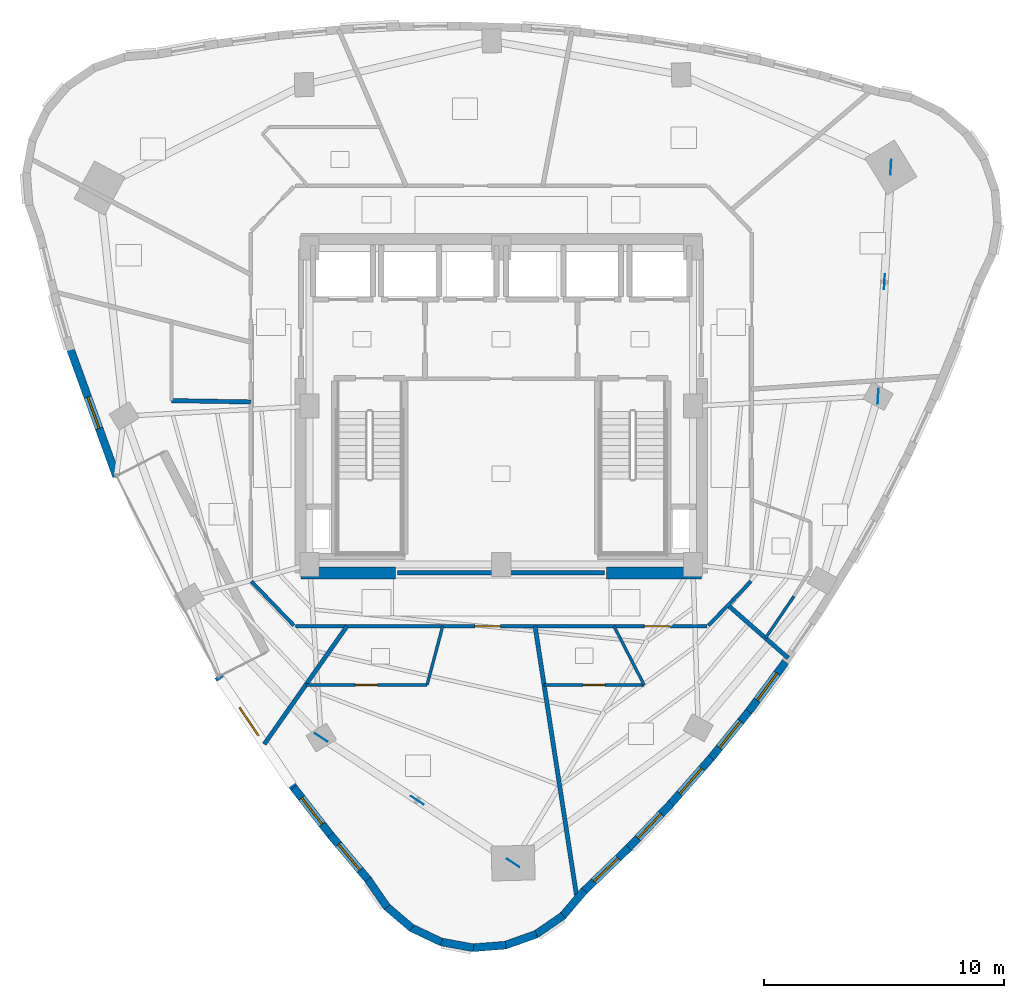
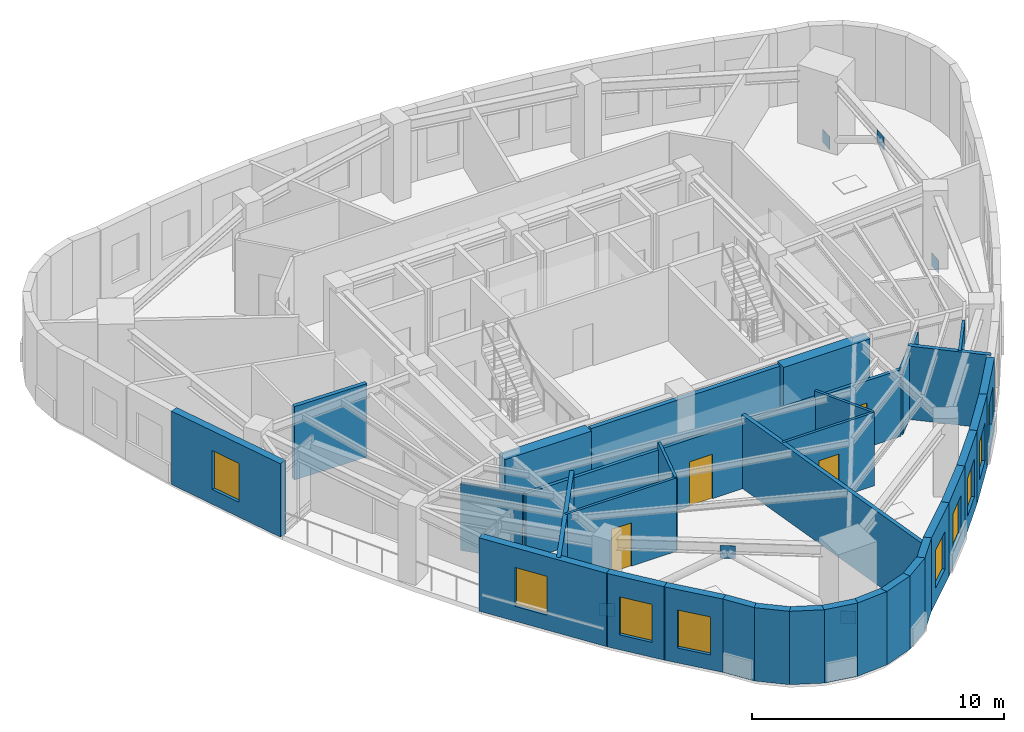
# One storey, part 6 of 13: 32 walls, 9 windows, 6 plates, 4 doors, 13 openings.
"""IFC4 building model written with IfcOpenShell, lengths in metres."""

from ifc_helpers import new_model, si_unit, direction, frame, frame_2d, origin, origin_2d, place, context, subcontext, project, spatial, rectangle, extrude, material, layer, layer_set, type_object, element, fill, save


model = new_model("IFC4")

# Units and contexts
model_context = context("Model", 3, precision=1e-05, world=origin(), true_north=direction((0.0, 1.0)))
body_context = subcontext(model_context, "Body", "Model", "MODEL_VIEW")
ifc_project = project(units=[si_unit("LENGTHUNIT", "METRE"), si_unit("AREAUNIT", "SQUARE_METRE"), si_unit("VOLUMEUNIT", "CUBIC_METRE"), si_unit("PLANEANGLEUNIT", "RADIAN"), si_unit("MASSUNIT", "GRAM", prefix="KILO")], contexts=[model_context])

# Site, building, storey
site_placement = place(None, origin())
site = spatial("IfcSite", under=ifc_project, at=site_placement, CompositionType="ELEMENT")
building_placement = place(site_placement, origin())
building = spatial("IfcBuilding", under=site, at=building_placement, Name="Ndelora Gate Hotel", CompositionType="ELEMENT")
storey_placement = place(building_placement, frame((0.0, 0.0, 197.949951171875)))
storey = spatial("IfcBuildingStorey", under=building, at=storey_placement, Name="L49", CompositionType="ELEMENT", Elevation=197.949951171875)

# Plates
ifc_material_1 = material(Name="Steel S355", Category="steel")
ifc_layer_1 = layer(ifc_material_1, 0.02001953125)
ifc_layer_set_1 = layer_set([ifc_layer_1], Name="Steel S355")
plate_type = type_object("IfcPlateType", Name="PL-NODE-VN1", PredefinedType="USERDEFINED", material=ifc_layer_set_1)
for number, where, z_axis, x_axis, name in (
    (1, (-7.50830078125, -13.828369140625, -0.2900390625), (0.0, 0.0, 1.0), (-0.836955398099, 0.547271104292, 0.0), "Node gusset cap plate VN1"),
    (2, (0.499267578125, -19.064208984375, -0.2900390625), (0.0, 0.0, 1.0), (-0.836955398099, 0.547271104292, 0.0), "Node gusset cap plate VN1"),
    (3, (-3.50439453125, -16.4462890625, 2.68994140625), (0.0, 0.0, 1.0), (-0.836955398099, 0.547271104292, 0.0), "Node gusset cap plate VN1"),
    (4, (15.72998046875, 0.411865234375, -0.2900390625), (0.0, 0.0, 1.0), (0.055472980025, 0.998460188734, 0.0), "Node gusset cap plate VN1"),
    (5, (16.26025390625, 9.96435546875, -0.2900390625), (0.0, 0.0, 1.0), (0.055472980025, 0.998460188734, 0.0), "Node gusset cap plate VN1"),
    (6, (15.9951171875, 5.18798828125, 2.68994140625), (0.0, 0.0, 1.0), (0.055472980025, 0.998460188734, 0.0), "Node gusset cap plate VN1"),
):
    element("IfcPlate", number, at=place(storey_placement, frame(where, z_axis=z_axis, x_axis=x_axis)), inside=storey, type_object=plate_type, Name=name, ObjectType="GUSSET_PLATE", PredefinedType="USERDEFINED", context=body_context, shape_type="SweptSolid", body=[
        extrude(rectangle(XDim=0.6201171875, YDim=0.02001953125, at=origin_2d()), origin(), (0.0, 0.0, 1.0), 0.6201171875),
    ])

# Walls
ifc_material_2 = material(Name="Acoustic Double-Stud Gypsum Assembly", Category="gypsum")
ifc_layer_2 = layer(ifc_material_2, 0.179931640625)
ifc_layer_set_2 = layer_set([ifc_layer_2], Name="Acoustic Double-Stud Gypsum Assembly")
wall_type_1 = type_object("IfcWallType", Name="WL-ACOUST-180", PredefinedType="PARTITIONING", material=ifc_layer_set_2)
wall_1_placement = place(storey_placement, frame((-10.449951171875, 0.177490234375, 0.0), z_axis=(0.0, 0.0, 1.0), x_axis=(-0.999856521487, 0.0169391983, 0.0)))
element("IfcWall", 7, at=wall_1_placement, inside=storey, type_object=wall_type_1, Name="L49 Interior Wall IW-3", PredefinedType="PARTITIONING", context=body_context, shape_type="SweptSolid", body=[
    extrude(rectangle(XDim=3.300537109375, YDim=0.179931640625, at=frame_2d((1.650390625, 0.0))), origin(), (0.0, 0.0, 1.0), 3.550048828125),
])
wall_2_placement = place(storey_placement, frame((-6.434326171875, -9.179931640625, 0.0), z_axis=(0.0, 0.0, 1.0), x_axis=(-0.573963891335, -0.818880608785, 0.0)))
element("IfcWall", 8, at=wall_2_placement, inside=storey, type_object=wall_type_1, Name="L49 Interior Wall IW-3", PredefinedType="PARTITIONING", context=body_context, shape_type="SweptSolid", body=[
    extrude(rectangle(XDim=6.010009765625, YDim=0.179931640625, at=frame_2d((3.0048828125, 0.0))), origin(), (0.0, 0.0, 1.0), 3.550048828125),
])
wall_3_placement = place(storey_placement, frame((1.4140625, -9.179931640625, 0.0), z_axis=(0.0, 0.0, 1.0), x_axis=(0.15222758157, -0.988345467643, 0.0)))
element("IfcWall", 9, at=wall_3_placement, inside=storey, type_object=wall_type_1, Name="L49 Interior Wall IW-3", PredefinedType="PARTITIONING", context=body_context, shape_type="SweptSolid", body=[
    extrude(rectangle(XDim=11.52001953125, YDim=0.179931640625, at=frame_2d((5.760009765625, 0.0))), origin(), (0.0, 0.0, 1.0), 3.550048828125),
])
wall_4_placement = place(storey_placement, frame((9.464111328125, -8.3037109375, 0.0), z_axis=(0.0, 0.0, 1.0), x_axis=(0.751711445712, -0.659492154909, 0.0)))
element("IfcWall", 10, at=wall_4_placement, inside=storey, type_object=wall_type_1, Name="L49 Interior Wall IW-3", PredefinedType="PARTITIONING", context=body_context, shape_type="SweptSolid", body=[
    extrude(rectangle(XDim=3.341064453125, YDim=0.179931640625, at=frame_2d((1.67041015625, 0.0))), origin(), (0.0, 0.0, 1.0), 3.550048828125),
])

# Wall, opening, window
ifc_material_3 = material(Name="Clay Brick Masonry", Category="masonry")
ifc_layer_3 = layer(ifc_material_3, 0.330078125)
ifc_layer_set_3 = layer_set([ifc_layer_3], Name="Clay Brick Masonry")
wall_type_2 = type_object("IfcWallType", Name="WL-BRICK-330", PredefinedType="SOLIDWALL", material=ifc_layer_set_3)
wall_5_placement = place(storey_placement, frame((-16.051513671875, -2.931640625, 0.0), z_axis=(0.0, 0.0, 1.0), x_axis=(-0.340145014301, 0.940372994745, 0.0)))
wall_5 = element("IfcWall", 11, at=wall_5_placement, inside=storey, type_object=wall_type_2, Name="L49 Tower Brick Pier-and-Spandrel Wall TWR-11", PredefinedType="SOLIDWALL", context=body_context, shape_type="SweptSolid", body=[
    extrude(rectangle(XDim=5.65673828125, YDim=0.330078125, at=frame_2d((2.828369140625, 0.0))), origin(), (0.0, 0.0, 1.0), 3.550048828125),
])
opening_1_placement = place(wall_5_placement, frame((2.12841796875, 0.0, 0.719970703125)))
opening_1 = element("IfcOpeningElement", 12, at=opening_1_placement, cuts=wall_5, Name="Opening W02", PredefinedType="OPENING", context=body_context, shape_type="SweptSolid", body=[
    extrude(rectangle(XDim=1.39990234375, YDim=1.8798828125, at=frame_2d((0.699951171875, 0.93994140625))), frame((0.0, 0.175048828125, 0.0), z_axis=(0.0, -1.0, 0.0), x_axis=(1.0, 0.0, 0.0)), (0.0, 0.0, 1.0), 0.35009765625),
])
ifc_material_4 = material(Name="Insulated Low-E Double Glazing in Bronze Aluminium Frame", Category="aluminium")
window_type = type_object("IfcWindowType", Name="WN-DEEP-1400", PartitioningType="SINGLE_PANEL", PredefinedType="WINDOW", material=ifc_material_4)
window_1_placement = place(opening_1_placement, origin())
window_1 = element("IfcWindow", 13, at=window_1_placement, inside=storey, type_object=window_type, Name="L49 Deep-Set Brick-Pier Window W02", OverallHeight=1.8798828125, OverallWidth=1.39990234375, PartitioningType="SINGLE_PANEL", PredefinedType="WINDOW", context=body_context, shape_type="SweptSolid", body=[
    extrude(rectangle(XDim=1.39990234375, YDim=1.8798828125, at=frame_2d((0.699951171875, 0.93994140625))), frame((0.0, 0.030029296875, 0.0), z_axis=(0.0, -1.0, 0.0), x_axis=(1.0, 0.0, 0.0)), (0.0, 0.0, 1.0), 0.06005859375),
])
fill(opening_1, window_1)

wall_6_placement = place(storey_placement, frame((-8.63427734375, -15.946044921875, 0.0), z_axis=(0.0, 0.0, 1.0), x_axis=(-0.560840510301, 0.827923862444, 0.0)))
wall_6 = element("IfcWall", 14, at=wall_6_placement, inside=storey, type_object=wall_type_2, Name="L49 Tower Brick Pier-and-Spandrel Wall TWR-16", PredefinedType="SOLIDWALL", context=body_context, shape_type="SweptSolid", body=[
    extrude(rectangle(XDim=5.656494140625, YDim=0.330078125, at=frame_2d((2.828125, 0.0))), origin(), (0.0, 0.0, 1.0), 3.550048828125),
])
opening_2_placement = place(wall_6_placement, frame((2.659912109375, 0.0, 0.719970703125)))
opening_2 = element("IfcOpeningElement", 15, at=opening_2_placement, cuts=wall_6, Name="Opening W02", PredefinedType="OPENING", context=body_context, shape_type="SweptSolid", body=[
    extrude(rectangle(XDim=1.39990234375, YDim=1.8798828125, at=frame_2d((0.699951171875, 0.93994140625))), frame((0.0, 0.175048828125, 0.0), z_axis=(0.0, -1.0, 0.0), x_axis=(1.0, 0.0, 0.0)), (0.0, 0.0, 1.0), 0.35009765625),
])
window_2_placement = place(opening_2_placement, origin())
window_2 = element("IfcWindow", 16, at=window_2_placement, inside=storey, type_object=window_type, Name="L49 Deep-Set Brick-Pier Window W02", OverallHeight=1.8798828125, OverallWidth=1.39990234375, PartitioningType="SINGLE_PANEL", PredefinedType="WINDOW", context=body_context, shape_type="SweptSolid", body=[
    extrude(rectangle(XDim=1.39990234375, YDim=1.8798828125, at=frame_2d((0.699951171875, 0.93994140625))), frame((0.0, 0.030029296875, 0.0), z_axis=(0.0, -1.0, 0.0), x_axis=(1.0, 0.0, 0.0)), (0.0, 0.0, 1.0), 0.06005859375),
])
fill(opening_2, window_2)

wall_7_placement = place(storey_placement, frame((-7.124755859375, -17.88720703125, 0.0), z_axis=(0.0, 0.0, 1.0), x_axis=(-0.61336779868, 0.789797406645, 0.0)))
wall_7 = element("IfcWall", 17, at=wall_7_placement, inside=storey, type_object=wall_type_2, Name="L49 Tower Brick Pier-and-Spandrel Wall TWR-17", PredefinedType="SOLIDWALL", context=body_context, shape_type="SweptSolid", body=[
    extrude(rectangle(XDim=2.5087890625, YDim=0.330078125, at=frame_2d((1.25439453125, 0.0))), origin(), (0.0, 0.0, 1.0), 3.550048828125),
])
opening_3_placement = place(wall_7_placement, frame((0.554443359375, 0.0, 0.719970703125)))
opening_3 = element("IfcOpeningElement", 18, at=opening_3_placement, cuts=wall_7, Name="Opening W02", PredefinedType="OPENING", context=body_context, shape_type="SweptSolid", body=[
    extrude(rectangle(XDim=1.39990234375, YDim=1.840087890625, at=frame_2d((0.699951171875, 0.919921875))), frame((0.0, 0.175048828125, 0.0), z_axis=(0.0, -1.0, 0.0), x_axis=(1.0, 0.0, 0.0)), (0.0, 0.0, 1.0), 0.35009765625),
])
window_3_placement = place(opening_3_placement, origin())
window_3 = element("IfcWindow", 19, at=window_3_placement, inside=storey, type_object=window_type, Name="L49 Deep-Set Brick-Pier Window W02", OverallHeight=1.840087890625, OverallWidth=1.39990234375, PartitioningType="SINGLE_PANEL", PredefinedType="WINDOW", context=body_context, shape_type="SweptSolid", body=[
    extrude(rectangle(XDim=1.39990234375, YDim=1.840087890625, at=frame_2d((0.699951171875, 0.919921875))), frame((0.0, 0.030029296875, 0.0), z_axis=(0.0, -1.0, 0.0), x_axis=(1.0, 0.0, 0.0)), (0.0, 0.0, 1.0), 0.06005859375),
])
fill(opening_3, window_3)

wall_8_placement = place(storey_placement, frame((-5.529296875, -19.7841796875, 0.0), z_axis=(0.0, 0.0, 1.0), x_axis=(-0.643398111414, 0.765531756513, 0.0)))
wall_8 = element("IfcWall", 20, at=wall_8_placement, inside=storey, type_object=wall_type_2, Name="L49 Tower Brick Pier-and-Spandrel Wall TWR-18", PredefinedType="SOLIDWALL", context=body_context, shape_type="SweptSolid", body=[
    extrude(rectangle(XDim=2.52880859375, YDim=0.330078125, at=frame_2d((1.264404296875, 0.0))), origin(), (0.0, 0.0, 1.0), 3.550048828125),
])
opening_4_placement = place(wall_8_placement, frame((0.564453125, 0.0, 0.719970703125)))
opening_4 = element("IfcOpeningElement", 21, at=opening_4_placement, cuts=wall_8, Name="Opening W02", PredefinedType="OPENING", context=body_context, shape_type="SweptSolid", body=[
    extrude(rectangle(XDim=1.39990234375, YDim=1.840087890625, at=frame_2d((0.699951171875, 0.919921875))), frame((0.0, 0.175048828125, 0.0), z_axis=(0.0, -1.0, 0.0), x_axis=(1.0, 0.0, 0.0)), (0.0, 0.0, 1.0), 0.35009765625),
])
window_4_placement = place(opening_4_placement, origin())
window_4 = element("IfcWindow", 22, at=window_4_placement, inside=storey, type_object=window_type, Name="L49 Deep-Set Brick-Pier Window W02", OverallHeight=1.840087890625, OverallWidth=1.39990234375, PartitioningType="SINGLE_PANEL", PredefinedType="WINDOW", context=body_context, shape_type="SweptSolid", body=[
    extrude(rectangle(XDim=1.39990234375, YDim=1.840087890625, at=frame_2d((0.699951171875, 0.919921875))), frame((0.0, 0.030029296875, 0.0), z_axis=(0.0, -1.0, 0.0), x_axis=(1.0, 0.0, 0.0)), (0.0, 0.0, 1.0), 0.06005859375),
])
fill(opening_4, window_4)

# Walls
wall_9_placement = place(storey_placement, frame((-4.76220703125, -20.904541015625, 0.0), z_axis=(0.0, 0.0, 1.0), x_axis=(-0.566411052666, 0.824122878834, 0.0)))
element("IfcWall", 23, at=wall_9_placement, inside=storey, type_object=wall_type_2, Name="L49 Tower Brick Pier-and-Spandrel Wall TWR-19", PredefinedType="SOLIDWALL", context=body_context, shape_type="SweptSolid", body=[
    extrude(rectangle(XDim=1.40771484375, YDim=0.330078125, at=frame_2d((0.703857421875, 0.0))), origin(), (0.0, 0.0, 1.0), 3.550048828125),
])
wall_10_placement = place(storey_placement, frame((-3.72509765625, -21.78173828125, 0.0), z_axis=(0.0, 0.0, 1.0), x_axis=(-0.760430782952, 0.64941898982, 0.0)))
element("IfcWall", 24, at=wall_10_placement, inside=storey, type_object=wall_type_2, Name="L49 Tower Brick Pier-and-Spandrel Wall TWR-20", PredefinedType="SOLIDWALL", context=body_context, shape_type="SweptSolid", body=[
    extrude(rectangle(XDim=1.407470703125, YDim=0.330078125, at=frame_2d((0.70361328125, 0.0))), origin(), (0.0, 0.0, 1.0), 3.550048828125),
])
for number, where, z_axis, x_axis, name in (
    (25, (-2.496337890625, -22.360595703125, 0.0), (0.0, 0.0, 1.0), (-0.902597460438, 0.43048556818, 0.0), "L49 Tower Brick Pier-and-Spandrel Wall TWR-21"),
    (26, (-1.15966796875, -22.601806640625, 0.0), (0.0, 0.0, 1.0), (-0.983245180137, 0.182288002174, 0.0), "L49 Tower Brick Pier-and-Spandrel Wall TWR-22"),
):
    element("IfcWall", number, at=place(storey_placement, frame(where, z_axis=z_axis, x_axis=x_axis)), inside=storey, type_object=wall_type_2, Name=name, PredefinedType="SOLIDWALL", context=body_context, shape_type="SweptSolid", body=[
        extrude(rectangle(XDim=1.40771484375, YDim=0.330078125, at=frame_2d((0.703857421875, 0.0))), origin(), (0.0, 0.0, 1.0), 3.550048828125),
    ])
for number, where, z_axis, x_axis, name in (
    (27, (0.19384765625, -22.48876953125, 0.0), (0.0, 0.0, 1.0), (-0.996907811278, -0.07857999626, 0.0), "L49 Tower Brick Pier-and-Spandrel Wall TWR-23"),
    (28, (1.47216796875, -22.029296875, 0.0), (0.0, 0.0, 1.0), (-0.942656791627, -0.33376364871, 0.0), "L49 Tower Brick Pier-and-Spandrel Wall TWR-24"),
    (29, (2.587890625, -21.254638671875, 0.0), (0.0, 0.0, 1.0), (-0.824148199331, -0.566374209812, 0.0), "L49 Tower Brick Pier-and-Spandrel Wall TWR-25"),
    (30, (3.465087890625, -20.217529296875, 0.0), (0.0, 0.0, 1.0), (-0.649318671118, -0.760516445146, 0.0), "L49 Tower Brick Pier-and-Spandrel Wall TWR-26"),
):
    element("IfcWall", number, at=place(storey_placement, frame(where, z_axis=z_axis, x_axis=x_axis)), inside=storey, type_object=wall_type_2, Name=name, PredefinedType="SOLIDWALL", context=body_context, shape_type="SweptSolid", body=[
        extrude(rectangle(XDim=1.407470703125, YDim=0.330078125, at=frame_2d((0.70361328125, 0.0))), origin(), (0.0, 0.0, 1.0), 3.550048828125),
    ])

# Wall, opening, window
wall_11_placement = place(storey_placement, frame((5.323974609375, -18.425537109375, 0.0), z_axis=(0.0, 0.0, 1.0), x_axis=(-0.719291162425, -0.694708732964, 0.0)))
wall_11 = element("IfcWall", 31, at=wall_11_placement, inside=storey, type_object=wall_type_2, Name="L49 Tower Brick Pier-and-Spandrel Wall TWR-27", PredefinedType="SOLIDWALL", context=body_context, shape_type="SweptSolid", body=[
    extrude(rectangle(XDim=2.6318359375, YDim=0.330078125, at=frame_2d((1.31591796875, 0.0))), origin(), (0.0, 0.0, 1.0), 3.550048828125),
])
opening_5_placement = place(wall_11_placement, frame((0.61572265625, 0.0, 0.719970703125)))
opening_5 = element("IfcOpeningElement", 32, at=opening_5_placement, cuts=wall_11, Name="Opening W02", PredefinedType="OPENING", context=body_context, shape_type="SweptSolid", body=[
    extrude(rectangle(XDim=1.39990234375, YDim=1.840087890625, at=frame_2d((0.699951171875, 0.919921875))), frame((0.0, 0.175048828125, 0.0), z_axis=(0.0, -1.0, 0.0), x_axis=(1.0, 0.0, 0.0)), (0.0, 0.0, 1.0), 0.35009765625),
])
window_5_placement = place(opening_5_placement, origin())
window_5 = element("IfcWindow", 33, at=window_5_placement, inside=storey, type_object=window_type, Name="L49 Deep-Set Brick-Pier Window W02", OverallHeight=1.840087890625, OverallWidth=1.39990234375, PartitioningType="SINGLE_PANEL", PredefinedType="WINDOW", context=body_context, shape_type="SweptSolid", body=[
    extrude(rectangle(XDim=1.39990234375, YDim=1.840087890625, at=frame_2d((0.699951171875, 0.919921875))), frame((0.0, 0.030029296875, 0.0), z_axis=(0.0, -1.0, 0.0), x_axis=(1.0, 0.0, 0.0)), (0.0, 0.0, 1.0), 0.06005859375),
])
fill(opening_5, window_5)

wall_12_placement = place(storey_placement, frame((7.091796875, -16.573974609375, 0.0), z_axis=(0.0, 0.0, 1.0), x_axis=(-0.690836041792, -0.723011454516, 0.0)))
wall_12 = element("IfcWall", 34, at=wall_12_placement, inside=storey, type_object=wall_type_2, Name="L49 Tower Brick Pier-and-Spandrel Wall TWR-28", PredefinedType="SOLIDWALL", context=body_context, shape_type="SweptSolid", body=[
    extrude(rectangle(XDim=2.610107421875, YDim=0.330078125, at=frame_2d((1.30517578125, 0.0))), origin(), (0.0, 0.0, 1.0), 3.550048828125),
])
opening_6_placement = place(wall_12_placement, frame((0.60498046875, 0.0, 0.719970703125)))
opening_6 = element("IfcOpeningElement", 35, at=opening_6_placement, cuts=wall_12, Name="Opening W02", PredefinedType="OPENING", context=body_context, shape_type="SweptSolid", body=[
    extrude(rectangle(XDim=1.39990234375, YDim=1.840087890625, at=frame_2d((0.699951171875, 0.919921875))), frame((0.0, 0.175048828125, 0.0), z_axis=(0.0, -1.0, 0.0), x_axis=(1.0, 0.0, 0.0)), (0.0, 0.0, 1.0), 0.35009765625),
])
window_6_placement = place(opening_6_placement, origin())
window_6 = element("IfcWindow", 36, at=window_6_placement, inside=storey, type_object=window_type, Name="L49 Deep-Set Brick-Pier Window W02", OverallHeight=1.840087890625, OverallWidth=1.39990234375, PartitioningType="SINGLE_PANEL", PredefinedType="WINDOW", context=body_context, shape_type="SweptSolid", body=[
    extrude(rectangle(XDim=1.39990234375, YDim=1.840087890625, at=frame_2d((0.699951171875, 0.919921875))), frame((0.0, 0.030029296875, 0.0), z_axis=(0.0, -1.0, 0.0), x_axis=(1.0, 0.0, 0.0)), (0.0, 0.0, 1.0), 0.06005859375),
])
fill(opening_6, window_6)

wall_13_placement = place(storey_placement, frame((8.770751953125, -14.664794921875, 0.0), z_axis=(0.0, 0.0, 1.0), x_axis=(-0.660708561144, -0.75064252293, 0.0)))
wall_13 = element("IfcWall", 37, at=wall_13_placement, inside=storey, type_object=wall_type_2, Name="L49 Tower Brick Pier-and-Spandrel Wall TWR-29", PredefinedType="SOLIDWALL", context=body_context, shape_type="SweptSolid", body=[
    extrude(rectangle(XDim=2.592529296875, YDim=0.330078125, at=frame_2d((1.29638671875, 0.0))), origin(), (0.0, 0.0, 1.0), 3.550048828125),
])
opening_7_placement = place(wall_13_placement, frame((0.59619140625, 0.0, 0.719970703125)))
opening_7 = element("IfcOpeningElement", 38, at=opening_7_placement, cuts=wall_13, Name="Opening W02", PredefinedType="OPENING", context=body_context, shape_type="SweptSolid", body=[
    extrude(rectangle(XDim=1.39990234375, YDim=1.840087890625, at=frame_2d((0.699951171875, 0.919921875))), frame((0.0, 0.175048828125, 0.0), z_axis=(0.0, -1.0, 0.0), x_axis=(1.0, 0.0, 0.0)), (0.0, 0.0, 1.0), 0.35009765625),
])
window_7_placement = place(opening_7_placement, origin())
window_7 = element("IfcWindow", 39, at=window_7_placement, inside=storey, type_object=window_type, Name="L49 Deep-Set Brick-Pier Window W02", OverallHeight=1.840087890625, OverallWidth=1.39990234375, PartitioningType="SINGLE_PANEL", PredefinedType="WINDOW", context=body_context, shape_type="SweptSolid", body=[
    extrude(rectangle(XDim=1.39990234375, YDim=1.840087890625, at=frame_2d((0.699951171875, 0.919921875))), frame((0.0, 0.030029296875, 0.0), z_axis=(0.0, -1.0, 0.0), x_axis=(1.0, 0.0, 0.0)), (0.0, 0.0, 1.0), 0.06005859375),
])
fill(opening_7, window_7)

wall_14_placement = place(storey_placement, frame((10.361328125, -12.697998046875, 0.0), z_axis=(0.0, 0.0, 1.0), x_axis=(-0.629151938827, -0.777282341154, 0.0)))
wall_14 = element("IfcWall", 40, at=wall_14_placement, inside=storey, type_object=wall_type_2, Name="L49 Tower Brick Pier-and-Spandrel Wall TWR-30", PredefinedType="SOLIDWALL", context=body_context, shape_type="SweptSolid", body=[
    extrude(rectangle(XDim=2.579345703125, YDim=0.330078125, at=frame_2d((1.28955078125, 0.0))), origin(), (0.0, 0.0, 1.0), 3.550048828125),
])
opening_8_placement = place(wall_14_placement, frame((0.589599609375, 0.0, 0.719970703125)))
opening_8 = element("IfcOpeningElement", 41, at=opening_8_placement, cuts=wall_14, Name="Opening W02", PredefinedType="OPENING", context=body_context, shape_type="SweptSolid", body=[
    extrude(rectangle(XDim=1.39990234375, YDim=1.840087890625, at=frame_2d((0.699951171875, 0.919921875))), frame((0.0, 0.175048828125, 0.0), z_axis=(0.0, -1.0, 0.0), x_axis=(1.0, 0.0, 0.0)), (0.0, 0.0, 1.0), 0.35009765625),
])
window_8_placement = place(opening_8_placement, origin())
window_8 = element("IfcWindow", 42, at=window_8_placement, inside=storey, type_object=window_type, Name="L49 Deep-Set Brick-Pier Window W02", OverallHeight=1.840087890625, OverallWidth=1.39990234375, PartitioningType="SINGLE_PANEL", PredefinedType="WINDOW", context=body_context, shape_type="SweptSolid", body=[
    extrude(rectangle(XDim=1.39990234375, YDim=1.840087890625, at=frame_2d((0.699951171875, 0.919921875))), frame((0.0, 0.030029296875, 0.0), z_axis=(0.0, -1.0, 0.0), x_axis=(1.0, 0.0, 0.0)), (0.0, 0.0, 1.0), 0.06005859375),
])
fill(opening_8, window_8)

wall_15_placement = place(storey_placement, frame((11.86328125, -10.673828125, 0.0), z_axis=(0.0, 0.0, 1.0), x_axis=(-0.596178851143, -0.802851653451, 0.0)))
wall_15 = element("IfcWall", 43, at=wall_15_placement, inside=storey, type_object=wall_type_2, Name="L49 Tower Brick Pier-and-Spandrel Wall TWR-31", PredefinedType="SOLIDWALL", context=body_context, shape_type="SweptSolid", body=[
    extrude(rectangle(XDim=2.570556640625, YDim=0.330078125, at=frame_2d((1.28515625, 0.0))), origin(), (0.0, 0.0, 1.0), 3.550048828125),
])
opening_9_placement = place(wall_15_placement, frame((0.585205078125, 0.0, 0.719970703125)))
opening_9 = element("IfcOpeningElement", 44, at=opening_9_placement, cuts=wall_15, Name="Opening W02", PredefinedType="OPENING", context=body_context, shape_type="SweptSolid", body=[
    extrude(rectangle(XDim=1.39990234375, YDim=1.840087890625, at=frame_2d((0.699951171875, 0.919921875))), frame((0.0, 0.175048828125, 0.0), z_axis=(0.0, -1.0, 0.0), x_axis=(1.0, 0.0, 0.0)), (0.0, 0.0, 1.0), 0.35009765625),
])
window_9_placement = place(opening_9_placement, origin())
window_9 = element("IfcWindow", 45, at=window_9_placement, inside=storey, type_object=window_type, Name="L49 Deep-Set Brick-Pier Window W02", OverallHeight=1.840087890625, OverallWidth=1.39990234375, PartitioningType="SINGLE_PANEL", PredefinedType="WINDOW", context=body_context, shape_type="SweptSolid", body=[
    extrude(rectangle(XDim=1.39990234375, YDim=1.840087890625, at=frame_2d((0.699951171875, 0.919921875))), frame((0.0, 0.030029296875, 0.0), z_axis=(0.0, -1.0, 0.0), x_axis=(1.0, 0.0, 0.0)), (0.0, 0.0, 1.0), 0.06005859375),
])
fill(opening_9, window_9)

# Walls
ifc_material_5 = material(Name="Concrete C50/60", Category="concrete")
ifc_layer_4 = layer(ifc_material_5, 0.5)
ifc_layer_set_4 = layer_set([ifc_layer_4], Name="Concrete C50/60")
wall_type_3 = type_object("IfcWallType", Name="WL-CORE-500", PredefinedType="SHEAR", material=ifc_layer_set_4)
for number, where, z_axis, x_axis, name in (
    (46, (-8.35009765625, -6.949951171875, 0.0), (0.0, 0.0, 1.0), (1.0, 0.0, 0.0), "L49 Core Shear Wall S-W"),
    (47, (4.39990234375, -6.949951171875, 0.0), (0.0, 0.0, 1.0), (1.0, 0.0, 0.0), "L49 Core Shear Wall S-E"),
):
    element("IfcWall", number, at=place(storey_placement, frame(where, z_axis=z_axis, x_axis=x_axis)), inside=storey, type_object=wall_type_3, Name=name, PredefinedType="SHEAR", context=body_context, shape_type="SweptSolid", body=[
        extrude(rectangle(XDim=3.9501953125, YDim=0.5, at=frame_2d((1.97509765625, 0.0))), origin(), (0.0, 0.0, 1.0), 3.550048828125),
    ])
ifc_material_6 = material(Name="Concrete C40/50", Category="concrete")
ifc_layer_5 = layer(ifc_material_6, 0.199951171875)
ifc_layer_set_5 = layer_set([ifc_layer_5], Name="Concrete C40/50")
wall_type_4 = type_object("IfcWallType", Name="WL-FIRE-200", PredefinedType="PARTITIONING", material=ifc_layer_set_5)
wall_16_placement = place(storey_placement, frame((-4.320068359375, -6.949951171875, 0.0), z_axis=(0.0, 0.0, 1.0), x_axis=(1.0, 0.0, 0.0)))
element("IfcWall", 48, at=wall_16_placement, inside=storey, type_object=wall_type_4, Name="L49 Interior Wall IW-2", PredefinedType="PARTITIONING", context=body_context, shape_type="SweptSolid", body=[
    extrude(rectangle(XDim=8.64013671875, YDim=0.199951171875, at=frame_2d((4.320068359375, 0.0))), origin(), (0.0, 0.0, 1.0), 3.550048828125),
])

# Wall, openings, doors
ifc_material_7 = material(Name="Fire-Rated Gypsum Stud Partition", Category="gypsum")
ifc_layer_6 = layer(ifc_material_7, 0.14990234375)
ifc_layer_set_6 = layer_set([ifc_layer_6], Name="Fire-Rated Gypsum Stud Partition")
wall_type_5 = type_object("IfcWallType", Name="WL-PART-150", PredefinedType="PARTITIONING", material=ifc_layer_set_6)
wall_17_placement = place(storey_placement, frame((8.580078125, -9.179931640625, 0.0), z_axis=(0.0, 0.0, 1.0), x_axis=(-1.0, 0.0, 0.0)))
wall_17 = element("IfcWall", 49, at=wall_17_placement, inside=storey, type_object=wall_type_5, Name="L49 Interior Wall IW-5", PredefinedType="PARTITIONING", context=body_context, shape_type="SweptSolid", body=[
    extrude(rectangle(XDim=17.16015625, YDim=0.14990234375, at=frame_2d((8.580078125, 0.0))), origin(), (0.0, 0.0, 1.0), 3.22998046875),
])
opening_10_placement = place(wall_17_placement, frame((1.5458984375, 0.0, 0.0)))
opening_10 = element("IfcOpeningElement", 50, at=opening_10_placement, cuts=wall_17, Name="Opening D07", PredefinedType="OPENING", context=body_context, shape_type="SweptSolid", body=[
    extrude(rectangle(XDim=1.06005859375, YDim=2.14990234375, at=frame_2d((0.530029296875, 1.074951171875))), frame((0.0, 0.0849609375, 0.0), z_axis=(0.0, -1.0, 0.0), x_axis=(1.0, 0.0, 0.0)), (0.0, 0.0, 1.0), 0.169921875),
])
opening_11_placement = place(wall_17_placement, frame((8.614501953125, 0.0, 0.0)))
opening_11 = element("IfcOpeningElement", 51, at=opening_11_placement, cuts=wall_17, Name="Opening D07", PredefinedType="OPENING", context=body_context, shape_type="SweptSolid", body=[
    extrude(rectangle(XDim=1.06005859375, YDim=2.14990234375, at=frame_2d((0.530029296875, 1.074951171875))), frame((0.0, 0.0849609375, 0.0), z_axis=(0.0, -1.0, 0.0), x_axis=(1.0, 0.0, 0.0)), (0.0, 0.0, 1.0), 0.169921875),
])
ifc_material_8 = material(Name="Diplomatic Suite Acoustic Entrance Door", Category="wood")
door_type_1 = type_object("IfcDoorType", Name="DR-SUITE-1060", OperationType="SINGLE_SWING_LEFT", PredefinedType="DOOR", material=ifc_material_8)
door_1_placement = place(opening_10_placement, origin())
door_1 = element("IfcDoor", 52, at=door_1_placement, inside=storey, type_object=door_type_1, Name="L49 South Panoramic Suite 5202 Entrance Door", OperationType="SINGLE_SWING_LEFT", OverallHeight=2.14990234375, OverallWidth=1.06005859375, PredefinedType="DOOR", context=body_context, shape_type="SweptSolid", body=[
    extrude(rectangle(XDim=1.06005859375, YDim=2.14990234375, at=frame_2d((0.530029296875, 1.074951171875))), frame((0.0, 0.02490234375, 0.0), z_axis=(0.0, -1.0, 0.0), x_axis=(1.0, 0.0, 0.0)), (0.0, 0.0, 1.0), 0.050048828125),
])
fill(opening_10, door_1)
door_2_placement = place(opening_11_placement, origin())
door_2 = element("IfcDoor", 53, at=door_2_placement, inside=storey, type_object=door_type_1, Name="L49 Grand Corner Suite 5201 Entrance Door", OperationType="SINGLE_SWING_LEFT", OverallHeight=2.14990234375, OverallWidth=1.06005859375, PredefinedType="DOOR", context=body_context, shape_type="SweptSolid", body=[
    extrude(rectangle(XDim=1.06005859375, YDim=2.14990234375, at=frame_2d((0.530029296875, 1.074951171875))), frame((0.0, 0.02490234375, 0.0), z_axis=(0.0, -1.0, 0.0), x_axis=(1.0, 0.0, 0.0)), (0.0, 0.0, 1.0), 0.050048828125),
])
fill(opening_11, door_2)

# Walls
for number, where, z_axis, x_axis, name in (
    (54, (10.42236328125, -7.308837890625, 0.0), (0.0, 0.0, 1.0), (-0.693764562202, -0.720201869085, 0.0), "L49 Interior Wall IW-5"),
    (55, (-8.647705078125, -9.151123046875, 0.0), (0.0, 0.0, 1.0), (-0.693764562202, 0.720201869085, 0.0), "L49 Interior Wall IW-5"),
):
    element("IfcWall", number, at=place(storey_placement, frame(where, z_axis=z_axis, x_axis=x_axis)), inside=storey, type_object=wall_type_5, Name=name, PredefinedType="PARTITIONING", context=body_context, shape_type="SweptSolid", body=[
        extrude(rectangle(XDim=2.55810546875, YDim=0.14990234375, at=frame_2d((1.279052734375, 0.0))), origin(), (0.0, 0.0, 1.0), 3.22998046875),
    ])
ifc_material_9 = material(Name="Moisture-Resistant Bathroom Tile Partition", Category="gypsum")
ifc_layer_7 = layer(ifc_material_9, 0.1201171875)
ifc_layer_set_7 = layer_set([ifc_layer_7], Name="Moisture-Resistant Bathroom Tile Partition")
wall_type_6 = type_object("IfcWallType", Name="WL-WET-120", PredefinedType="PARTITIONING", material=ifc_layer_set_7)
wall_18_placement = place(storey_placement, frame((-2.440185546875, -9.179931640625, 0.0), z_axis=(0.0, 0.0, 1.0), x_axis=(-0.256943284385, -0.96642648381, 0.0)))
element("IfcWall", 56, at=wall_18_placement, inside=storey, type_object=wall_type_6, Name="L49 Interior Wall IW-7", PredefinedType="PARTITIONING", context=body_context, shape_type="SweptSolid", body=[
    extrude(rectangle(XDim=2.53515625, YDim=0.1201171875, at=frame_2d((1.267578125, 0.0))), origin(), (0.0, 0.0, 1.0), 3.550048828125),
])

# Wall, opening, door
wall_19_placement = place(storey_placement, frame((-3.091552734375, -11.6298828125, 0.0), z_axis=(0.0, 0.0, 1.0), x_axis=(-1.0, 0.0, 0.0)))
wall_19 = element("IfcWall", 57, at=wall_19_placement, inside=storey, type_object=wall_type_6, Name="L49 Interior Wall IW-7", PredefinedType="PARTITIONING", context=body_context, shape_type="SweptSolid", body=[
    extrude(rectangle(XDim=5.06005859375, YDim=0.1201171875, at=frame_2d((2.530029296875, 0.0))), origin(), (0.0, 0.0, 1.0), 3.550048828125),
])
opening_12_placement = place(wall_19_placement, frame((2.070068359375, 0.0, 0.0)))
opening_12 = element("IfcOpeningElement", 58, at=opening_12_placement, cuts=wall_19, Name="Opening D03", PredefinedType="OPENING", context=body_context, shape_type="SweptSolid", body=[
    extrude(rectangle(XDim=0.919921875, YDim=2.10009765625, at=frame_2d((0.4599609375, 1.050048828125))), frame((0.0, 0.070068359375, 0.0), z_axis=(0.0, -1.0, 0.0), x_axis=(1.0, 0.0, 0.0)), (0.0, 0.0, 1.0), 0.14013671875),
])
ifc_material_10 = material(Name="Moisture-Resistant Hardwood En-Suite Door", Category="wood")
door_type_2 = type_object("IfcDoorType", Name="DR-BATH-920", OperationType="SINGLE_SWING_LEFT", PredefinedType="DOOR", material=ifc_material_10)
door_3_placement = place(opening_12_placement, origin())
door_3 = element("IfcDoor", 59, at=door_3_placement, inside=storey, type_object=door_type_2, Name="L49 En-suite Bathroom 5201 Door", OperationType="SINGLE_SWING_RIGHT", OverallHeight=2.10009765625, OverallWidth=0.919921875, PredefinedType="DOOR", context=body_context, shape_type="SweptSolid", body=[
    extrude(rectangle(XDim=0.919921875, YDim=2.10009765625, at=frame_2d((0.4599609375, 1.050048828125))), frame((0.0, 0.02490234375, 0.0), z_axis=(0.0, -1.0, 0.0), x_axis=(1.0, 0.0, 0.0)), (0.0, 0.0, 1.0), 0.050048828125),
])
fill(opening_12, door_3)

# Wall
wall_20_placement = place(storey_placement, frame((5.963623046875, -11.6298828125, 0.0), z_axis=(0.0, 0.0, 1.0), x_axis=(-0.456305846295, 0.889823001859, 0.0)))
element("IfcWall", 60, at=wall_20_placement, inside=storey, type_object=wall_type_6, Name="L49 Interior Wall IW-7", PredefinedType="PARTITIONING", context=body_context, shape_type="SweptSolid", body=[
    extrude(rectangle(XDim=2.75341796875, YDim=0.1201171875, at=frame_2d((1.376708984375, 0.0))), origin(), (0.0, 0.0, 1.0), 3.550048828125),
])

# Wall, opening, door
wall_21_placement = place(storey_placement, frame((5.963623046875, -11.6298828125, 0.0), z_axis=(0.0, 0.0, 1.0), x_axis=(-1.0, 0.0, 0.0)))
wall_21 = element("IfcWall", 61, at=wall_21_placement, inside=storey, type_object=wall_type_6, Name="L49 Interior Wall IW-7", PredefinedType="PARTITIONING", context=body_context, shape_type="SweptSolid", body=[
    extrude(rectangle(XDim=4.172119140625, YDim=0.1201171875, at=frame_2d((2.0859375, 0.0))), origin(), (0.0, 0.0, 1.0), 3.550048828125),
])
opening_13_placement = place(wall_21_placement, frame((1.626220703125, 0.0, 0.0)))
opening_13 = element("IfcOpeningElement", 62, at=opening_13_placement, cuts=wall_21, Name="Opening D03", PredefinedType="OPENING", context=body_context, shape_type="SweptSolid", body=[
    extrude(rectangle(XDim=0.919921875, YDim=2.10009765625, at=frame_2d((0.4599609375, 1.050048828125))), frame((0.0, 0.070068359375, 0.0), z_axis=(0.0, -1.0, 0.0), x_axis=(1.0, 0.0, 0.0)), (0.0, 0.0, 1.0), 0.14013671875),
])
door_4_placement = place(opening_13_placement, origin())
door_4 = element("IfcDoor", 63, at=door_4_placement, inside=storey, type_object=door_type_2, Name="L49 En-suite Bathroom 5202 Door", OperationType="SINGLE_SWING_LEFT", OverallHeight=2.10009765625, OverallWidth=0.919921875, PredefinedType="DOOR", context=body_context, shape_type="SweptSolid", body=[
    extrude(rectangle(XDim=0.919921875, YDim=2.10009765625, at=frame_2d((0.4599609375, 1.050048828125))), frame((0.0, 0.02490234375, 0.0), z_axis=(0.0, -1.0, 0.0), x_axis=(1.0, 0.0, 0.0)), (0.0, 0.0, 1.0), 0.050048828125),
])
fill(opening_13, door_4)

# Wall
wall_22_placement = place(storey_placement, frame((11.02880859375, -9.676513671875, 0.0), z_axis=(0.0, 0.0, 1.0), x_axis=(0.562050393964, 0.82710298914, 0.0)))
element("IfcWall", 64, at=wall_22_placement, inside=storey, type_object=wall_type_6, Name="L49 Interior Wall IW-7", PredefinedType="PARTITIONING", context=body_context, shape_type="SweptSolid", body=[
    extrude(rectangle(XDim=2.109375, YDim=0.1201171875, at=frame_2d((1.0546875, 0.0))), origin(), (0.0, 0.0, 1.0), 3.550048828125),
])

save(model, "model.ifc")
